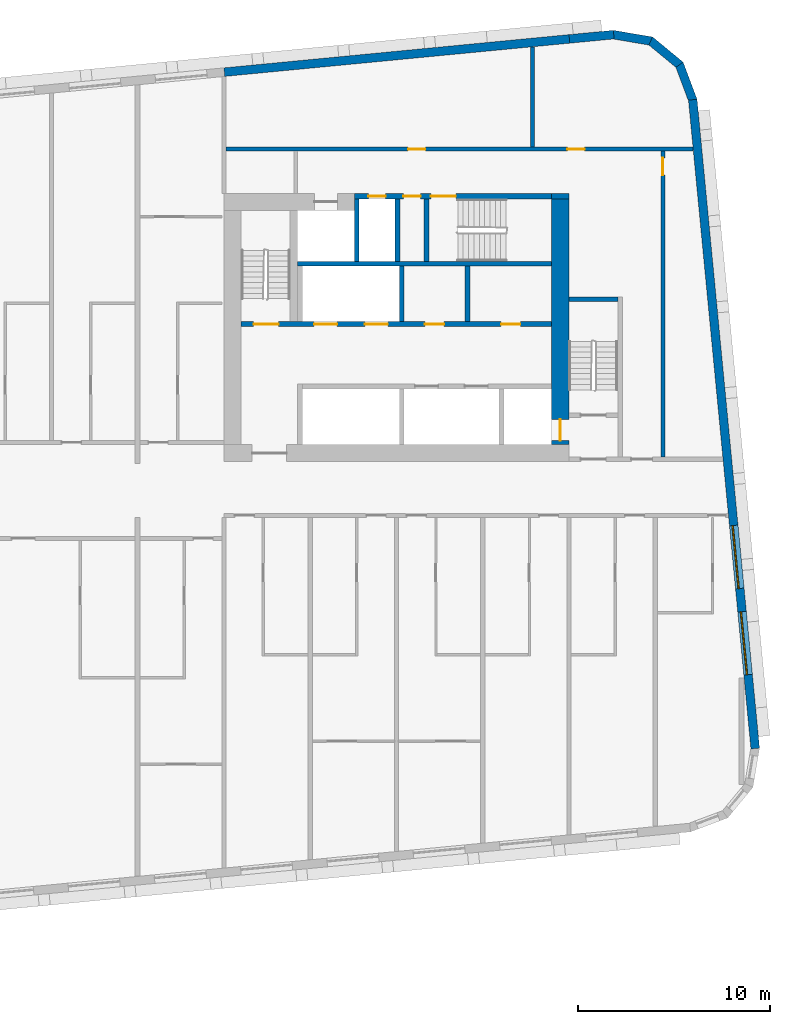
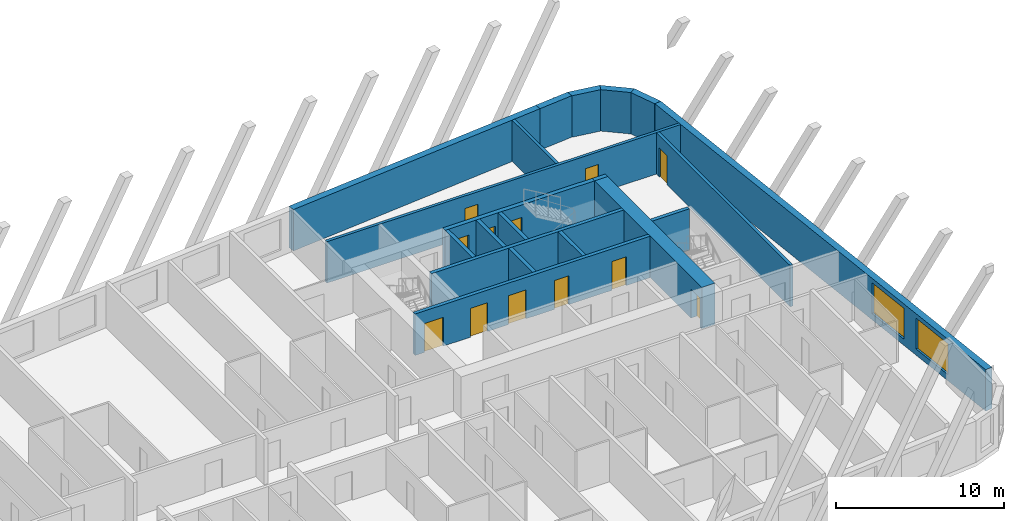
# One storey, part 8 of 13: 20 walls, 12 doors, 2 windows, 14 openings.
"""IFC4 building model written with IfcOpenShell, lengths in metres."""

from ifc_helpers import new_model, si_unit, direction, frame, frame_2d, origin, place, context, subcontext, project, spatial, polyline, rectangle, outline, extrude, material, layer, layer_set, type_object, element, fill, save


model = new_model("IFC4")

# Units and contexts
model_context = context("Model", 3, precision=1e-05, world=origin(), true_north=direction((0.0, 1.0)))
body_context = subcontext(model_context, "Body", "Model", "MODEL_VIEW")
ifc_project = project(units=[si_unit("LENGTHUNIT", "METRE"), si_unit("AREAUNIT", "SQUARE_METRE"), si_unit("VOLUMEUNIT", "CUBIC_METRE"), si_unit("PLANEANGLEUNIT", "RADIAN"), si_unit("MASSUNIT", "GRAM", prefix="KILO")], contexts=[model_context])

# Site, building, storey
site_placement = place(None, origin())
site = spatial("IfcSite", under=ifc_project, at=site_placement, CompositionType="ELEMENT")
building_placement = place(site_placement, origin())
building = spatial("IfcBuilding", under=site, at=building_placement, Name="Kajstack Hotel Tower", CompositionType="ELEMENT")
storey_placement = place(building_placement, frame((0.0, 0.0, 196.60009765625)))
storey = spatial("IfcBuildingStorey", under=building, at=storey_placement, Name="L47", CompositionType="ELEMENT", Elevation=196.60009765625)

# Wall
ifc_material_1 = material(Name="Concrete C60/75", Category="concrete")
ifc_layer_1 = layer(ifc_material_1, 0.89990234375)
ifc_layer_set_1 = layer_set([ifc_layer_1], Name="Core wall 900")
wall_type_1 = type_object("IfcWallType", Name="Core wall 900", PredefinedType="SHEAR", material=ifc_layer_set_1)
wall_1_placement = place(storey_placement, frame((30.60009765625, 15.35009765625, 0.0), z_axis=(0.0, 0.0, 1.0), x_axis=(1.0, 0.0, 0.0)))
element("IfcWall", 1, at=wall_1_placement, inside=storey, type_object=wall_type_1, Name="Core wall E RSW", PredefinedType="SHEAR", context=body_context, shape_type="SweptSolid", body=[
    extrude(rectangle(XDim=0.89990234375, YDim=0.300048828125, at=frame_2d((0.449951171875, 0.0))), origin(), (0.0, 0.0, 1.0), 3.02001953125),
])

# Wall, opening, door
wall_2_placement = place(storey_placement, frame((31.050048828125, 2.39990234375, 0.0), z_axis=(0.0, 0.0, 1.0), x_axis=(0.0, 1.0, 0.0)))
wall_2 = element("IfcWall", 2, at=wall_2_placement, inside=storey, type_object=wall_type_1, Name="Core wall E RW", PredefinedType="SHEAR", context=body_context, shape_type="SweptSolid", body=[
    extrude(rectangle(XDim=12.800048828125, YDim=0.89990234375, at=frame_2d((6.39990234375, 0.0))), origin(), (0.0, 0.0, 1.0), 3.02001953125),
])
opening_1_placement = place(wall_2_placement, frame((0.199951171875, 0.0, 0.0)))
opening_1 = element("IfcOpeningElement", 3, at=opening_1_placement, cuts=wall_2, Name="Opening LD-FF2", PredefinedType="OPENING", context=body_context, shape_type="SweptSolid", body=[
    extrude(rectangle(XDim=1.10009765625, YDim=2.10009765625, at=frame_2d((0.550048828125, 1.050048828125))), frame((0.0, 0.4599609375, 0.0), z_axis=(0.0, -1.0, 0.0), x_axis=(1.0, 0.0, 0.0)), (0.0, 0.0, 1.0), 0.919921875),
])
ifc_material_2 = material(Name="Stainless steel", Category="steel")
door_type_1 = type_object("IfcDoorType", Name="Fire-fighting lift landing door 1100", OperationType="SLIDING_TO_LEFT", PredefinedType="DOOR", material=ifc_material_2)
door_1_placement = place(opening_1_placement, origin())
door_1 = element("IfcDoor", 4, at=door_1_placement, inside=storey, type_object=door_type_1, Name="Landing door FF2", OperationType="SLIDING_TO_LEFT", OverallHeight=2.10009765625, OverallWidth=1.10009765625, PredefinedType="DOOR", context=body_context, shape_type="SweptSolid", body=[
    extrude(rectangle(XDim=1.10009765625, YDim=2.10009765625, at=frame_2d((0.550048828125, 1.050048828125))), frame((0.0, 0.02490234375, 0.0), z_axis=(0.0, -1.0, 0.0), x_axis=(1.0, 0.0, 0.0)), (0.0, 0.0, 1.0), 0.050048828125),
])
fill(opening_1, door_1)

# Wall
ifc_material_3 = material(Name="Concrete C40/50", Category="concrete")
ifc_layer_2 = layer(ifc_material_3, 0.449951171875)
ifc_layer_set_2 = layer_set([ifc_layer_2], Name="EW-CORE")
wall_type_2 = type_object("IfcWallType", Name="EW-CORE", PredefinedType="SOLIDWALL", material=ifc_layer_set_2)
wall_3_placement = place(storey_placement, frame((31.521484375, 23.55078125, 0.0), z_axis=(0.0, 0.0, 1.0), x_axis=(-0.995395166513, -0.095856468129, 0.0)))
element("IfcWall", 5, at=wall_3_placement, inside=storey, type_object=wall_type_2, Name="E-wall-L47-12-01", PredefinedType="SOLIDWALL", context=body_context, shape_type="SweptSolid", body=[
    extrude(rectangle(XDim=18.083251953125, YDim=0.449951171875, at=frame_2d((9.04150390625, 0.0))), origin(), (0.0, 0.0, 1.0), 3.02001953125),
])

# Wall, openings, windows
ifc_material_4 = material(Name="Terracotta-faced brick masonry", Category="masonry")
ifc_layer_3 = layer(ifc_material_4, 0.449951171875)
ifc_layer_set_3 = layer_set([ifc_layer_3], Name="EW-TERRA")
wall_type_3 = type_object("IfcWallType", Name="EW-TERRA", PredefinedType="SOLIDWALL", material=ifc_layer_set_3)
wall_4_placement = place(storey_placement, frame((41.21435546875, -13.465576171875, 0.0), z_axis=(0.0, 0.0, 1.0), x_axis=(-0.095847314626, 0.995396047952, 0.0)))
wall_4 = element("IfcWall", 6, at=wall_4_placement, inside=storey, type_object=wall_type_3, Name="E-wall-L47-08-00", PredefinedType="SOLIDWALL", context=body_context, shape_type="SweptSolid", body=[
    extrude(rectangle(XDim=33.999755859375, YDim=0.449951171875, at=frame_2d((17.0, 0.0))), origin(), (0.0, 0.0, 1.0), 3.02001953125),
])
opening_2_placement = place(wall_4_placement, frame((3.869384765625, 0.0, 0.449951171875)))
opening_2 = element("IfcOpeningElement", 7, at=opening_2_placement, cuts=wall_4, Name="Opening W2", PredefinedType="OPENING", context=body_context, shape_type="SweptSolid", body=[
    extrude(rectangle(XDim=3.300048828125, YDim=2.25, at=frame_2d((1.64990234375, 1.125))), frame((0.0, 0.23486328125, 0.0), z_axis=(0.0, -1.0, 0.0), x_axis=(1.0, 0.0, 0.0)), (0.0, 0.0, 1.0), 0.469970703125),
])
opening_3_placement = place(wall_4_placement, frame((8.390380859375, 0.0, 0.449951171875)))
opening_3 = element("IfcOpeningElement", 8, at=opening_3_placement, cuts=wall_4, Name="Opening W2", PredefinedType="OPENING", context=body_context, shape_type="SweptSolid", body=[
    extrude(rectangle(XDim=3.300048828125, YDim=2.25, at=frame_2d((1.64990234375, 1.125))), frame((0.0, 0.23486328125, 0.0), z_axis=(0.0, -1.0, 0.0), x_axis=(1.0, 0.0, 0.0)), (0.0, 0.0, 1.0), 0.469970703125),
])
ifc_material_5 = material(Name="Timber-aluminium window, triple glazed", Category="wood")
window_type = type_object("IfcWindowType", Name="WG2", PartitioningType="SINGLE_PANEL", PredefinedType="WINDOW", material=ifc_material_5)
window_1_placement = place(opening_2_placement, origin())
window_1 = element("IfcWindow", 9, at=window_1_placement, inside=storey, type_object=window_type, Name="Window W2 L47-08", OverallHeight=2.25, OverallWidth=3.300048828125, PartitioningType="SINGLE_PANEL", PredefinedType="WINDOW", context=body_context, shape_type="SweptSolid", body=[
    extrude(rectangle(XDim=3.300048828125, YDim=2.25, at=frame_2d((1.64990234375, 1.125))), frame((0.0, 0.090087890625, 0.0), z_axis=(0.0, -1.0, 0.0), x_axis=(1.0, 0.0, 0.0)), (0.0, 0.0, 1.0), 0.06005859375),
])
fill(opening_2, window_1)
window_2_placement = place(opening_3_placement, origin())
window_2 = element("IfcWindow", 10, at=window_2_placement, inside=storey, type_object=window_type, Name="Window W2 L47-08", OverallHeight=2.25, OverallWidth=3.300048828125, PartitioningType="SINGLE_PANEL", PredefinedType="WINDOW", context=body_context, shape_type="SweptSolid", body=[
    extrude(rectangle(XDim=3.300048828125, YDim=2.25, at=frame_2d((1.64990234375, 1.125))), frame((0.0, 0.090087890625, 0.0), z_axis=(0.0, -1.0, 0.0), x_axis=(1.0, 0.0, 0.0)), (0.0, 0.0, 1.0), 0.06005859375),
])
fill(opening_3, window_2)

# Walls
wall_5_placement = place(storey_placement, frame((37.96875, 20.320556640625, 0.0), z_axis=(0.0, 0.0, 1.0), x_axis=(-0.350192909346, 0.936677599948, 0.0)))
element("IfcWall", 11, at=wall_5_placement, inside=storey, type_object=wall_type_3, Name="E-wall-L47-09-00", PredefinedType="SOLIDWALL", context=body_context, shape_type="SweptSolid", body=[
    extrude(outline(polyline([(0.0, -0.22509765625), (2.070556640625, -0.22509765625), (1.949951171875, 0.22509765625), (0.12060546875, 0.224853515625), (0.0, -0.22509765625)])), origin(), (0.0, 0.0, 1.0), 3.02001953125),
])
wall_6_placement = place(storey_placement, frame((37.311279296875, 22.165283203125, 0.0), z_axis=(0.0, 0.0, 1.0), x_axis=(-0.771651049663, 0.636046112757, 0.0)))
element("IfcWall", 12, at=wall_6_placement, inside=storey, type_object=wall_type_3, Name="E-wall-L47-10-00", PredefinedType="SOLIDWALL", context=body_context, shape_type="SweptSolid", body=[
    extrude(outline(polyline([(0.0, -0.224853515625), (2.0703125, -0.22509765625), (1.94970703125, 0.224853515625), (0.12060546875, 0.22509765625), (0.0, -0.224853515625)])), origin(), (0.0, 0.0, 1.0), 3.02001953125),
])
wall_7_placement = place(storey_placement, frame((35.819580078125, 23.433837890625, 0.0), z_axis=(0.0, 0.0, 1.0), x_axis=(-0.986278951104, 0.165087342366, 0.0)))
element("IfcWall", 13, at=wall_7_placement, inside=storey, type_object=wall_type_3, Name="E-wall-L47-11-00", PredefinedType="SOLIDWALL", context=body_context, shape_type="SweptSolid", body=[
    extrude(outline(polyline([(0.0, -0.22509765625), (2.070556640625, -0.224853515625), (1.949951171875, 0.22509765625), (0.12060546875, 0.224853515625), (0.0, -0.22509765625)])), origin(), (0.0, 0.0, 1.0), 3.02001953125),
])
wall_8_placement = place(storey_placement, frame((33.836181640625, 23.7734375, 0.0), z_axis=(0.0, 0.0, 1.0), x_axis=(-0.995405373555, -0.095750416695, 0.0)))
element("IfcWall", 14, at=wall_8_placement, inside=storey, type_object=wall_type_3, Name="E-wall-L47-12-00", PredefinedType="SOLIDWALL", context=body_context, shape_type="SweptSolid", body=[
    extrude(rectangle(XDim=2.325439453125, YDim=0.449951171875, at=frame_2d((1.16259765625, 0.0))), origin(), (0.0, 0.0, 1.0), 3.02001953125),
])
ifc_material_6 = material(Name="Concrete C50/60", Category="concrete")
ifc_layer_4 = layer(ifc_material_6, 0.300048828125)
ifc_layer_set_4 = layer_set([ifc_layer_4], Name="Hoistway divider wall 300")
wall_type_4 = type_object("IfcWallType", Name="Hoistway divider wall 300", PredefinedType="SHEAR", material=ifc_layer_set_4)
wall_9_placement = place(storey_placement, frame((22.77490234375, 8.800048828125, 0.0), z_axis=(0.0, 0.0, 1.0), x_axis=(0.0, 1.0, 0.0)))
element("IfcWall", 15, at=wall_9_placement, inside=storey, type_object=wall_type_4, Name="Core wall E BP2", PredefinedType="SHEAR", context=body_context, shape_type="SweptSolid", body=[
    extrude(rectangle(XDim=2.89990234375, YDim=0.25, at=frame_2d((1.449951171875, 0.0))), origin(), (0.0, 0.0, 1.0), 3.02001953125),
])
ifc_material_7 = material(Name="Concrete block masonry", Category="masonry")
ifc_layer_5 = layer(ifc_material_7, 0.25)
ifc_layer_set_5 = layer_set([ifc_layer_5], Name="Riser partition 250")
wall_type_5 = type_object("IfcWallType", Name="Riser partition 250", PredefinedType="PARTITIONING", material=ifc_layer_set_5)
wall_10_placement = place(storey_placement, frame((26.199951171875, 8.800048828125, 0.0), z_axis=(0.0, 0.0, 1.0), x_axis=(0.0, 1.0, 0.0)))
element("IfcWall", 16, at=wall_10_placement, inside=storey, type_object=wall_type_5, Name="Partition E BF0", PredefinedType="PARTITIONING", context=body_context, shape_type="SweptSolid", body=[
    extrude(rectangle(XDim=2.89990234375, YDim=0.25, at=frame_2d((1.449951171875, 0.0))), origin(), (0.0, 0.0, 1.0), 3.02001953125),
])
wall_11_placement = place(storey_placement, frame((22.550048828125, 11.949951171875, 0.0), z_axis=(0.0, 0.0, 1.0), x_axis=(0.0, 1.0, 0.0)))
element("IfcWall", 17, at=wall_11_placement, inside=storey, type_object=wall_type_5, Name="Partition E SZ0", PredefinedType="PARTITIONING", context=body_context, shape_type="SweptSolid", body=[
    extrude(rectangle(XDim=3.25, YDim=0.25, at=frame_2d((1.625, 0.0))), origin(), (0.0, 0.0, 1.0), 3.02001953125),
])

# Wall, opening, door
ifc_material_8 = material(Name="Gypsum board on steel studs, mineral wool", Category="steel")
ifc_layer_6 = layer(ifc_material_8, 0.199951171875)
ifc_layer_set_6 = layer_set([ifc_layer_6], Name="Service partition 200")
wall_type_6 = type_object("IfcWallType", Name="Service partition 200", PredefinedType="PARTITIONING", material=ifc_layer_set_6)
wall_12_placement = place(storey_placement, frame((36.39990234375, 1.75, 0.0), z_axis=(0.0, 0.0, 1.0), x_axis=(0.0, 1.0, 0.0)))
wall_12 = element("IfcWall", 18, at=wall_12_placement, inside=storey, type_object=wall_type_6, Name="Partition E WRE", PredefinedType="PARTITIONING", context=body_context, shape_type="SweptSolid", body=[
    extrude(rectangle(XDim=15.949951171875, YDim=0.199951171875, at=frame_2d((7.97509765625, 0.0))), origin(), (0.0, 0.0, 1.0), 3.02001953125),
])
opening_4_placement = place(wall_12_placement, frame((14.699951171875, 0.0, 0.0)))
opening_4 = element("IfcOpeningElement", 19, at=opening_4_placement, cuts=wall_12, Name="Opening 47E19", PredefinedType="OPENING", context=body_context, shape_type="SweptSolid", body=[
    extrude(rectangle(XDim=0.89990234375, YDim=2.10009765625, at=frame_2d((0.449951171875, 1.050048828125))), frame((0.0, 0.10986328125, 0.0), z_axis=(0.0, -1.0, 0.0), x_axis=(1.0, 0.0, 0.0)), (0.0, 0.0, 1.0), 0.219970703125),
])
ifc_material_9 = material(Name="Timber leaf, fire-rated", Category="wood")
door_type_2 = type_object("IfcDoorType", Name="Service door 900", OperationType="SINGLE_SWING_LEFT", PredefinedType="DOOR", material=ifc_material_9)
door_2_placement = place(opening_4_placement, origin())
door_2 = element("IfcDoor", 20, at=door_2_placement, inside=storey, type_object=door_type_2, Name="Door 47E19", OperationType="SINGLE_SWING_RIGHT", OverallHeight=2.10009765625, OverallWidth=0.89990234375, PredefinedType="DOOR", context=body_context, shape_type="SweptSolid", body=[
    extrude(rectangle(XDim=0.89990234375, YDim=2.10009765625, at=frame_2d((0.449951171875, 1.050048828125))), frame((0.0, 0.02490234375, 0.0), z_axis=(0.0, -1.0, 0.0), x_axis=(1.0, 0.0, 0.0)), (0.0, 0.0, 1.0), 0.050048828125),
])
fill(opening_4, door_2)

# Wall, openings, doors
wall_13_placement = place(storey_placement, frame((13.60009765625, 17.800048828125, 0.0), z_axis=(0.0, 0.0, 1.0), x_axis=(1.0, 0.0, 0.0)))
wall_13 = element("IfcWall", 21, at=wall_13_placement, inside=storey, type_object=wall_type_6, Name="Partition E SLN", PredefinedType="PARTITIONING", context=body_context, shape_type="SweptSolid", body=[
    extrude(rectangle(XDim=24.377685546875, YDim=0.199951171875, at=frame_2d((12.18896484375, 0.0))), origin(), (0.0, 0.0, 1.0), 3.02001953125),
])
opening_5_placement = place(wall_13_placement, frame((17.8125, 0.0, 0.0)))
opening_5 = element("IfcOpeningElement", 22, at=opening_5_placement, cuts=wall_13, Name="Opening 47E17", PredefinedType="OPENING", context=body_context, shape_type="SweptSolid", body=[
    extrude(rectangle(XDim=0.89990234375, YDim=2.10009765625, at=frame_2d((0.449951171875, 1.050048828125))), frame((0.0, 0.10986328125, 0.0), z_axis=(0.0, -1.0, 0.0), x_axis=(1.0, 0.0, 0.0)), (0.0, 0.0, 1.0), 0.219970703125),
])
opening_6_placement = place(wall_13_placement, frame((9.512451171875, 0.0, 0.0)))
opening_6 = element("IfcOpeningElement", 23, at=opening_6_placement, cuts=wall_13, Name="Opening 47E18", PredefinedType="OPENING", context=body_context, shape_type="SweptSolid", body=[
    extrude(rectangle(XDim=0.89990234375, YDim=2.10009765625, at=frame_2d((0.449951171875, 1.050048828125))), frame((0.0, 0.10986328125, 0.0), z_axis=(0.0, -1.0, 0.0), x_axis=(1.0, 0.0, 0.0)), (0.0, 0.0, 1.0), 0.219970703125),
])
door_3_placement = place(opening_5_placement, origin())
door_3 = element("IfcDoor", 24, at=door_3_placement, inside=storey, type_object=door_type_2, Name="Door 47E17", OperationType="SINGLE_SWING_LEFT", OverallHeight=2.10009765625, OverallWidth=0.89990234375, PredefinedType="DOOR", context=body_context, shape_type="SweptSolid", body=[
    extrude(rectangle(XDim=0.89990234375, YDim=2.10009765625, at=frame_2d((0.449951171875, 1.050048828125))), frame((0.0, 0.02490234375, 0.0), z_axis=(0.0, -1.0, 0.0), x_axis=(1.0, 0.0, 0.0)), (0.0, 0.0, 1.0), 0.050048828125),
])
fill(opening_5, door_3)
door_4_placement = place(opening_6_placement, origin())
door_4 = element("IfcDoor", 25, at=door_4_placement, inside=storey, type_object=door_type_2, Name="Door 47E18", OperationType="SINGLE_SWING_LEFT", OverallHeight=2.10009765625, OverallWidth=0.89990234375, PredefinedType="DOOR", context=body_context, shape_type="SweptSolid", body=[
    extrude(rectangle(XDim=0.89990234375, YDim=2.10009765625, at=frame_2d((0.449951171875, 1.050048828125))), frame((0.0, 0.02490234375, 0.0), z_axis=(0.0, -1.0, 0.0), x_axis=(1.0, 0.0, 0.0)), (0.0, 0.0, 1.0), 0.050048828125),
])
fill(opening_6, door_4)

# Wall
wall_14_placement = place(storey_placement, frame((29.60009765625, 17.89990234375, 0.0), z_axis=(0.0, 0.0, 1.0), x_axis=(0.0, 1.0, 0.0)))
element("IfcWall", 26, at=wall_14_placement, inside=storey, type_object=wall_type_6, Name="Partition E SLP0", PredefinedType="PARTITIONING", context=body_context, shape_type="SweptSolid", body=[
    extrude(rectangle(XDim=5.24072265625, YDim=0.199951171875, at=frame_2d((2.620361328125, 0.0))), origin(), (0.0, 0.0, 1.0), 3.02001953125),
])

# Wall, openings, doors
ifc_layer_7 = layer(ifc_material_6, 0.25)
ifc_layer_set_7 = layer_set([ifc_layer_7], Name="Shaft wall 250")
wall_type_7 = type_object("IfcWallType", Name="Shaft wall 250", PredefinedType="SHEAR", material=ifc_layer_set_7)
wall_15_placement = place(storey_placement, frame((20.300048828125, 15.35009765625, 0.0), z_axis=(0.0, 0.0, 1.0), x_axis=(1.0, 0.0, 0.0)))
wall_15 = element("IfcWall", 27, at=wall_15_placement, inside=storey, type_object=wall_type_7, Name="Core wall E RSS", PredefinedType="SHEAR", context=body_context, shape_type="SweptSolid", body=[
    extrude(rectangle(XDim=10.300048828125, YDim=0.300048828125, at=frame_2d((5.14990234375, 0.0))), origin(), (0.0, 0.0, 1.0), 3.02001953125),
])
opening_7_placement = place(wall_15_placement, frame((4.0, 0.0, 0.0)))
opening_7 = element("IfcOpeningElement", 28, at=opening_7_placement, cuts=wall_15, Name="Opening 47E12", PredefinedType="OPENING", context=body_context, shape_type="SweptSolid", body=[
    extrude(rectangle(XDim=1.300048828125, YDim=2.10009765625, at=frame_2d((0.64990234375, 1.050048828125))), frame((0.0, 0.159912109375, 0.0), z_axis=(0.0, -1.0, 0.0), x_axis=(1.0, 0.0, 0.0)), (0.0, 0.0, 1.0), 0.320068359375),
])
opening_8_placement = place(wall_15_placement, frame((2.5625, 0.0, 0.0)))
opening_8 = element("IfcOpeningElement", 29, at=opening_8_placement, cuts=wall_15, Name="Opening 47E13", PredefinedType="OPENING", context=body_context, shape_type="SweptSolid", body=[
    extrude(rectangle(XDim=0.89990234375, YDim=2.10009765625, at=frame_2d((0.449951171875, 1.050048828125))), frame((0.0, 0.159912109375, 0.0), z_axis=(0.0, -1.0, 0.0), x_axis=(1.0, 0.0, 0.0)), (0.0, 0.0, 1.0), 0.320068359375),
])
opening_9_placement = place(wall_15_placement, frame((0.737548828125, 0.0, 0.0)))
opening_9 = element("IfcOpeningElement", 30, at=opening_9_placement, cuts=wall_15, Name="Opening 47E14", PredefinedType="OPENING", context=body_context, shape_type="SweptSolid", body=[
    extrude(rectangle(XDim=0.89990234375, YDim=2.10009765625, at=frame_2d((0.449951171875, 1.050048828125))), frame((0.0, 0.159912109375, 0.0), z_axis=(0.0, -1.0, 0.0), x_axis=(1.0, 0.0, 0.0)), (0.0, 0.0, 1.0), 0.320068359375),
])
ifc_material_10 = material(Name="Steel leaf, fire-rated", Category="steel")
door_type_3 = type_object("IfcDoorType", Name="Riser door 900", OperationType="SINGLE_SWING_LEFT", PredefinedType="DOOR", material=ifc_material_10)
door_5_placement = place(opening_9_placement, origin())
door_5 = element("IfcDoor", 31, at=door_5_placement, inside=storey, type_object=door_type_3, Name="Door 47E14", OperationType="SINGLE_SWING_RIGHT", OverallHeight=2.10009765625, OverallWidth=0.89990234375, PredefinedType="DOOR", context=body_context, shape_type="SweptSolid", body=[
    extrude(rectangle(XDim=0.89990234375, YDim=2.10009765625, at=frame_2d((0.449951171875, 1.050048828125))), frame((0.0, 0.02490234375, 0.0), z_axis=(0.0, -1.0, 0.0), x_axis=(1.0, 0.0, 0.0)), (0.0, 0.0, 1.0), 0.050048828125),
])
fill(opening_9, door_5)
door_6_placement = place(opening_8_placement, origin())
door_6 = element("IfcDoor", 32, at=door_6_placement, inside=storey, type_object=door_type_2, Name="Door 47E13", OperationType="SINGLE_SWING_RIGHT", OverallHeight=2.10009765625, OverallWidth=0.89990234375, PredefinedType="DOOR", context=body_context, shape_type="SweptSolid", body=[
    extrude(rectangle(XDim=0.89990234375, YDim=2.10009765625, at=frame_2d((0.449951171875, 1.050048828125))), frame((0.0, 0.02490234375, 0.0), z_axis=(0.0, -1.0, 0.0), x_axis=(1.0, 0.0, 0.0)), (0.0, 0.0, 1.0), 0.050048828125),
])
fill(opening_8, door_6)
door_type_4 = type_object("IfcDoorType", Name="Stair door 1300", OperationType="SINGLE_SWING_LEFT", PredefinedType="DOOR", material=ifc_material_10)
door_7_placement = place(opening_7_placement, origin())
door_7 = element("IfcDoor", 33, at=door_7_placement, inside=storey, type_object=door_type_4, Name="Door 47E12", OperationType="SINGLE_SWING_LEFT", OverallHeight=2.10009765625, OverallWidth=1.300048828125, PredefinedType="DOOR", context=body_context, shape_type="SweptSolid", body=[
    extrude(rectangle(XDim=1.300048828125, YDim=2.10009765625, at=frame_2d((0.64990234375, 1.050048828125))), frame((0.0, 0.02490234375, 0.0), z_axis=(0.0, -1.0, 0.0), x_axis=(1.0, 0.0, 0.0)), (0.0, 0.0, 1.0), 0.050048828125),
])
fill(opening_7, door_7)

wall_16_placement = place(storey_placement, frame((14.39990234375, 8.675048828125, 0.0), z_axis=(0.0, 0.0, 1.0), x_axis=(1.0, 0.0, 0.0)))
wall_16 = element("IfcWall", 34, at=wall_16_placement, inside=storey, type_object=wall_type_7, Name="Core wall E FB", PredefinedType="SHEAR", context=body_context, shape_type="SweptSolid", body=[
    extrude(rectangle(XDim=16.2001953125, YDim=0.25, at=frame_2d((8.10009765625, 0.0))), origin(), (0.0, 0.0, 1.0), 3.02001953125),
])
opening_10_placement = place(wall_16_placement, frame((6.449951171875, 0.0, 0.0)))
opening_10 = element("IfcOpeningElement", 35, at=opening_10_placement, cuts=wall_16, Name="Opening LD-MR5", PredefinedType="OPENING", context=body_context, shape_type="SweptSolid", body=[
    extrude(rectangle(XDim=1.199951171875, YDim=2.10009765625, at=frame_2d((0.60009765625, 1.050048828125))), frame((0.0, 0.135009765625, 0.0), z_axis=(0.0, -1.0, 0.0), x_axis=(1.0, 0.0, 0.0)), (0.0, 0.0, 1.0), 0.27001953125),
])
opening_11_placement = place(wall_16_placement, frame((3.800048828125, 0.0, 0.0)))
opening_11 = element("IfcOpeningElement", 36, at=opening_11_placement, cuts=wall_16, Name="Opening LD-MR6", PredefinedType="OPENING", context=body_context, shape_type="SweptSolid", body=[
    extrude(rectangle(XDim=1.199951171875, YDim=2.10009765625, at=frame_2d((0.60009765625, 1.050048828125))), frame((0.0, 0.135009765625, 0.0), z_axis=(0.0, -1.0, 0.0), x_axis=(1.0, 0.0, 0.0)), (0.0, 0.0, 1.0), 0.27001953125),
])
opening_12_placement = place(wall_16_placement, frame((0.64990234375, 0.0, 0.0)))
opening_12 = element("IfcOpeningElement", 37, at=opening_12_placement, cuts=wall_16, Name="Opening 47E11", PredefinedType="OPENING", context=body_context, shape_type="SweptSolid", body=[
    extrude(rectangle(XDim=1.300048828125, YDim=2.10009765625, at=frame_2d((0.64990234375, 1.050048828125))), frame((0.0, 0.135009765625, 0.0), z_axis=(0.0, -1.0, 0.0), x_axis=(1.0, 0.0, 0.0)), (0.0, 0.0, 1.0), 0.27001953125),
])
opening_13_placement = place(wall_16_placement, frame((13.5625, 0.0, 0.0)))
opening_13 = element("IfcOpeningElement", 38, at=opening_13_placement, cuts=wall_16, Name="Opening 47E15", PredefinedType="OPENING", context=body_context, shape_type="SweptSolid", body=[
    extrude(rectangle(XDim=1.0, YDim=2.10009765625, at=frame_2d((0.5, 1.050048828125))), frame((0.0, 0.135009765625, 0.0), z_axis=(0.0, -1.0, 0.0), x_axis=(1.0, 0.0, 0.0)), (0.0, 0.0, 1.0), 0.27001953125),
])
opening_14_placement = place(wall_16_placement, frame((9.58740234375, 0.0, 0.0)))
opening_14 = element("IfcOpeningElement", 39, at=opening_14_placement, cuts=wall_16, Name="Opening 47E16", PredefinedType="OPENING", context=body_context, shape_type="SweptSolid", body=[
    extrude(rectangle(XDim=1.0, YDim=2.10009765625, at=frame_2d((0.5, 1.050048828125))), frame((0.0, 0.135009765625, 0.0), z_axis=(0.0, -1.0, 0.0), x_axis=(1.0, 0.0, 0.0)), (0.0, 0.0, 1.0), 0.27001953125),
])
door_type_5 = type_object("IfcDoorType", Name="Lift landing door 1200", OperationType="SLIDING_TO_LEFT", PredefinedType="DOOR", material=ifc_material_2)
door_8_placement = place(opening_10_placement, origin())
door_8 = element("IfcDoor", 40, at=door_8_placement, inside=storey, type_object=door_type_5, Name="Landing door MR5", OperationType="SLIDING_TO_LEFT", OverallHeight=2.10009765625, OverallWidth=1.199951171875, PredefinedType="DOOR", context=body_context, shape_type="SweptSolid", body=[
    extrude(rectangle(XDim=1.199951171875, YDim=2.10009765625, at=frame_2d((0.60009765625, 1.050048828125))), frame((0.0, 0.02490234375, 0.0), z_axis=(0.0, -1.0, 0.0), x_axis=(1.0, 0.0, 0.0)), (0.0, 0.0, 1.0), 0.050048828125),
])
fill(opening_10, door_8)
door_9_placement = place(opening_11_placement, origin())
door_9 = element("IfcDoor", 41, at=door_9_placement, inside=storey, type_object=door_type_5, Name="Landing door MR6", OperationType="SLIDING_TO_RIGHT", OverallHeight=2.10009765625, OverallWidth=1.199951171875, PredefinedType="DOOR", context=body_context, shape_type="SweptSolid", body=[
    extrude(rectangle(XDim=1.199951171875, YDim=2.10009765625, at=frame_2d((0.60009765625, 1.050048828125))), frame((0.0, 0.02490234375, 0.0), z_axis=(0.0, -1.0, 0.0), x_axis=(1.0, 0.0, 0.0)), (0.0, 0.0, 1.0), 0.050048828125),
])
fill(opening_11, door_9)
door_type_6 = type_object("IfcDoorType", Name="Service room door 1000", OperationType="SINGLE_SWING_LEFT", PredefinedType="DOOR", material=ifc_material_9)
door_10_placement = place(opening_13_placement, origin())
door_10 = element("IfcDoor", 42, at=door_10_placement, inside=storey, type_object=door_type_6, Name="Door 47E15", OperationType="SINGLE_SWING_LEFT", OverallHeight=2.10009765625, OverallWidth=1.0, PredefinedType="DOOR", context=body_context, shape_type="SweptSolid", body=[
    extrude(rectangle(XDim=1.0, YDim=2.10009765625, at=frame_2d((0.5, 1.050048828125))), frame((0.0, 0.02490234375, 0.0), z_axis=(0.0, -1.0, 0.0), x_axis=(1.0, 0.0, 0.0)), (0.0, 0.0, 1.0), 0.050048828125),
])
fill(opening_13, door_10)
door_11_placement = place(opening_14_placement, origin())
door_11 = element("IfcDoor", 43, at=door_11_placement, inside=storey, type_object=door_type_6, Name="Door 47E16", OperationType="SINGLE_SWING_LEFT", OverallHeight=2.10009765625, OverallWidth=1.0, PredefinedType="DOOR", context=body_context, shape_type="SweptSolid", body=[
    extrude(rectangle(XDim=1.0, YDim=2.10009765625, at=frame_2d((0.5, 1.050048828125))), frame((0.0, 0.02490234375, 0.0), z_axis=(0.0, -1.0, 0.0), x_axis=(1.0, 0.0, 0.0)), (0.0, 0.0, 1.0), 0.050048828125),
])
fill(opening_14, door_11)
door_12_placement = place(opening_12_placement, origin())
door_12 = element("IfcDoor", 44, at=door_12_placement, inside=storey, type_object=door_type_4, Name="Door 47E11", OperationType="SINGLE_SWING_LEFT", OverallHeight=2.10009765625, OverallWidth=1.300048828125, PredefinedType="DOOR", context=body_context, shape_type="SweptSolid", body=[
    extrude(rectangle(XDim=1.300048828125, YDim=2.10009765625, at=frame_2d((0.64990234375, 1.050048828125))), frame((0.0, 0.02490234375, 0.0), z_axis=(0.0, -1.0, 0.0), x_axis=(1.0, 0.0, 0.0)), (0.0, 0.0, 1.0), 0.050048828125),
])
fill(opening_12, door_12)

# Walls
wall_17_placement = place(storey_placement, frame((17.35009765625, 11.824951171875, 0.0), z_axis=(0.0, 0.0, 1.0), x_axis=(1.0, 0.0, 0.0)))
element("IfcWall", 45, at=wall_17_placement, inside=storey, type_object=wall_type_7, Name="Core wall E RB", PredefinedType="SHEAR", context=body_context, shape_type="SweptSolid", body=[
    extrude(rectangle(XDim=13.25, YDim=0.25, at=frame_2d((6.625, 0.0))), origin(), (0.0, 0.0, 1.0), 3.02001953125),
])
wall_18_placement = place(storey_placement, frame((20.425048828125, 11.949951171875, 0.0), z_axis=(0.0, 0.0, 1.0), x_axis=(0.0, 1.0, 0.0)))
element("IfcWall", 46, at=wall_18_placement, inside=storey, type_object=wall_type_7, Name="Core wall E SVW", PredefinedType="SHEAR", context=body_context, shape_type="SweptSolid", body=[
    extrude(rectangle(XDim=3.25, YDim=0.25, at=frame_2d((1.625, 0.0))), origin(), (0.0, 0.0, 1.0), 3.02001953125),
])
ifc_layer_8 = layer(ifc_material_3, 0.25)
ifc_layer_set_8 = layer_set([ifc_layer_8], Name="Stair enclosure wall 250")
wall_type_8 = type_object("IfcWallType", Name="Stair enclosure wall 250", PredefinedType="SHEAR", material=ifc_layer_set_8)
wall_19_placement = place(storey_placement, frame((31.5, 9.97509765625, 0.0), z_axis=(0.0, 0.0, 1.0), x_axis=(1.0, 0.0, 0.0)))
element("IfcWall", 47, at=wall_19_placement, inside=storey, type_object=wall_type_8, Name="Core wall E W1S", PredefinedType="SHEAR", context=body_context, shape_type="SweptSolid", body=[
    extrude(rectangle(XDim=2.550048828125, YDim=0.25, at=frame_2d((1.27490234375, 0.0))), origin(), (0.0, 0.0, 1.0), 3.02001953125),
])
ifc_layer_9 = layer(ifc_material_6, 0.35009765625)
ifc_layer_set_9 = layer_set([ifc_layer_9], Name="Stair enclosure wall 350")
wall_type_9 = type_object("IfcWallType", Name="Stair enclosure wall 350", PredefinedType="SHEAR", material=ifc_layer_set_9)
wall_20_placement = place(storey_placement, frame((24.074951171875, 11.949951171875, 0.0), z_axis=(0.0, 0.0, 1.0), x_axis=(0.0, 1.0, 0.0)))
element("IfcWall", 48, at=wall_20_placement, inside=storey, type_object=wall_type_9, Name="Core wall E W3E", PredefinedType="SHEAR", context=body_context, shape_type="SweptSolid", body=[
    extrude(rectangle(XDim=3.25, YDim=0.25, at=frame_2d((1.625, 0.0))), origin(), (0.0, 0.0, 1.0), 3.02001953125),
])

save(model, "model.ifc")
